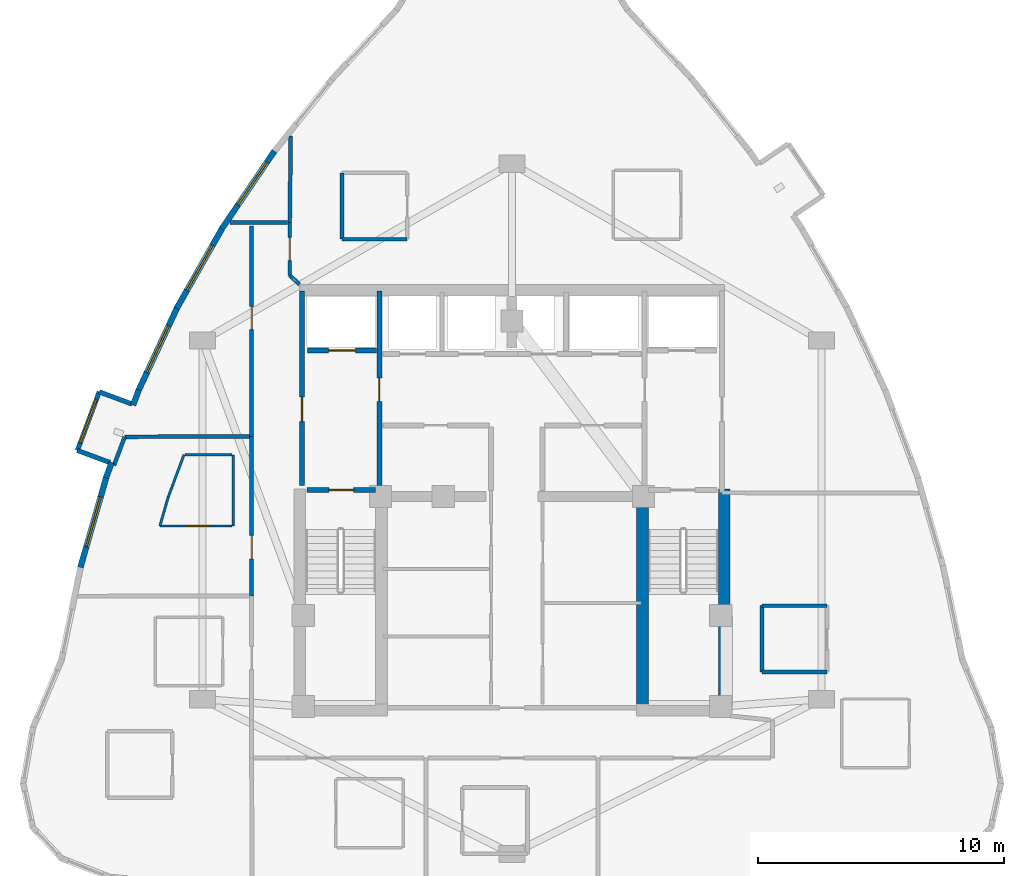
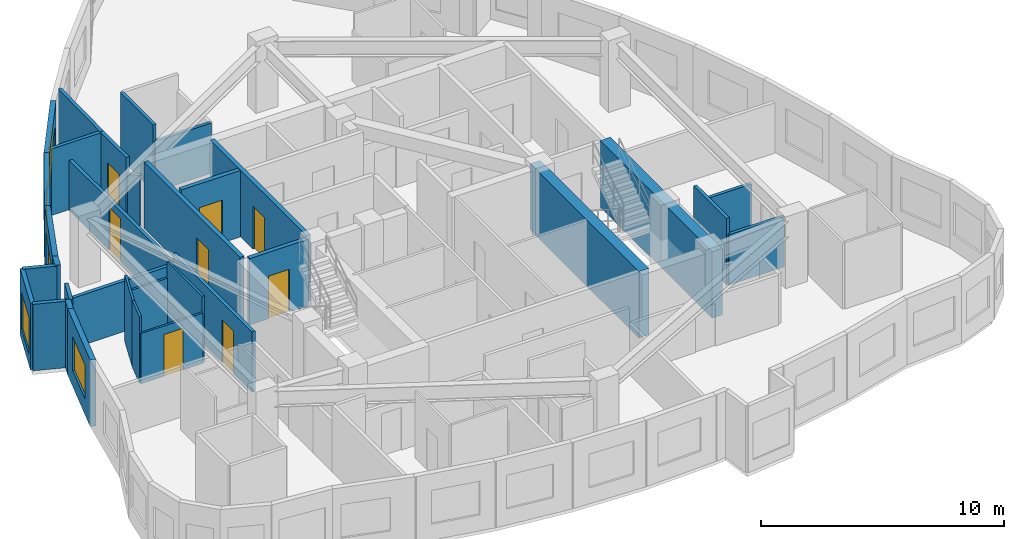
# One storey, part 5 of 9: 33 walls, 8 doors, 5 windows, 13 openings.
"""IFC4 building model written with IfcOpenShell, lengths in metres."""

from ifc_helpers import new_model, si_unit, direction, frame, frame_2d, origin, place, context, subcontext, project, spatial, rectangle, extrude, material, layer, layer_set, type_object, element, fill, save


model = new_model("IFC4")

# Units and contexts
model_context = context("Model", 3, precision=1e-05, world=origin(), true_north=direction((0.0, 1.0)))
body_context = subcontext(model_context, "Body", "Model", "MODEL_VIEW")
ifc_project = project(units=[si_unit("LENGTHUNIT", "METRE"), si_unit("AREAUNIT", "SQUARE_METRE"), si_unit("VOLUMEUNIT", "CUBIC_METRE"), si_unit("PLANEANGLEUNIT", "RADIAN"), si_unit("MASSUNIT", "GRAM", prefix="KILO")], contexts=[model_context])

# Site, building, storey
site_placement = place(None, origin())
site = spatial("IfcSite", under=ifc_project, at=site_placement, CompositionType="ELEMENT")
building_placement = place(site_placement, origin())
building = spatial("IfcBuilding", under=site, at=building_placement, Name="Miruveldt Soraemaru", CompositionType="ELEMENT")
storey_placement = place(building_placement, frame((0.0, 0.0, 241.199951171875)))
storey = spatial("IfcBuildingStorey", under=building, at=storey_placement, Name="L66", CompositionType="ELEMENT", Elevation=241.199951171875)

# Walls
ifc_material_1 = material(Name="White powder-coated aluminium EN AW-6060 T6", Category="aluminium")
ifc_layer_1 = layer(ifc_material_1, 0.18994140625, Name="White powder-coated aluminium EN AW-6060 T6", Category="aluminium")
ifc_layer_set_1 = layer_set([ifc_layer_1], Name="White powder-coated aluminium EN AW-6060 T6")
wall_type_1 = type_object("IfcWallType", Name="WALL-BAY-ALU190", PredefinedType="SOLIDWALL", material=ifc_layer_set_1)
wall_1_placement = place(storey_placement, frame((28.5283203125, 47.818603515625, 0.0), z_axis=(0.0, 0.0, 1.0), x_axis=(-0.937108491365, 0.349038214831, 0.0)))
element("IfcWall", 1, at=wall_1_placement, inside=storey, type_object=wall_type_1, Name="L66 Bay Window Side Cheek 1L", PredefinedType="SOLIDWALL", context=body_context, shape_type="SweptSolid", body=[
    extrude(rectangle(XDim=1.4248046875, YDim=0.18994140625, at=frame_2d((0.71240234375, 0.0))), origin(), (0.0, 0.0, 1.0), 3.344970703125),
])
wall_2_placement = place(storey_placement, frame((26.302490234375, 45.92529296875, 0.0), z_axis=(0.0, 0.0, 1.0), x_axis=(0.937129361406, -0.348982177182, 0.0)))
element("IfcWall", 2, at=wall_2_placement, inside=storey, type_object=wall_type_1, Name="L66 Bay Window Side Cheek 1R", PredefinedType="SOLIDWALL", context=body_context, shape_type="SweptSolid", body=[
    extrude(rectangle(XDim=1.425048828125, YDim=0.18994140625, at=frame_2d((0.71240234375, 0.0))), origin(), (0.0, 0.0, 1.0), 3.344970703125),
])

# Wall, opening, window
wall_3_placement = place(storey_placement, frame((27.193115234375, 48.31591796875, 0.0), z_axis=(0.0, 0.0, 1.0), x_axis=(-0.349109023173, -0.937082114833, 0.0)))
wall_3 = element("IfcWall", 3, at=wall_3_placement, inside=storey, type_object=wall_type_1, Name="L66 Bay Window Front Frame 1", PredefinedType="SOLIDWALL", context=body_context, shape_type="SweptSolid", body=[
    extrude(rectangle(XDim=2.551025390625, YDim=0.18994140625, at=frame_2d((1.275390625, 0.0))), origin(), (0.0, 0.0, 1.0), 3.344970703125),
])
opening_1_placement = place(wall_3_placement, frame((0.325927734375, 0.0, 0.550048828125)))
opening_1 = element("IfcOpeningElement", 4, at=opening_1_placement, cuts=wall_3, Name="Opening WN-6", PredefinedType="OPENING", context=body_context, shape_type="SweptSolid", body=[
    extrude(rectangle(XDim=1.89990234375, YDim=1.85009765625, at=frame_2d((0.949951171875, 0.925048828125))), frame((0.0, 0.10498046875, 0.0), z_axis=(0.0, -1.0, 0.0), x_axis=(1.0, 0.0, 0.0)), (0.0, 0.0, 1.0), 0.2099609375),
])
ifc_material_2 = material(Name="Triple low-e insulated glazing", Category="glass")
window_type_1 = type_object("IfcWindowType", Name="WIN-BAYW-1900x1850", PartitioningType="SINGLE_PANEL", PredefinedType="WINDOW", material=ifc_material_2)
window_1_placement = place(opening_1_placement, origin())
window_1 = element("IfcWindow", 5, at=window_1_placement, inside=storey, type_object=window_type_1, Name="L66 Projecting Bay Window 1", OverallHeight=1.85009765625, OverallWidth=1.89990234375, PartitioningType="SINGLE_PANEL", PredefinedType="WINDOW", context=body_context, shape_type="SweptSolid", body=[
    extrude(rectangle(XDim=1.89990234375, YDim=1.85009765625, at=frame_2d((0.949951171875, 0.925048828125))), frame((0.0, 0.030029296875, 0.0), z_axis=(0.0, -1.0, 0.0), x_axis=(1.0, 0.0, 0.0)), (0.0, 0.0, 1.0), 0.06005859375),
])
fill(opening_1, window_1)

# Walls
ifc_material_3 = material(Name="Concrete C60/75 (60 MPa)", Category="concrete")
ifc_layer_2 = layer(ifc_material_3, 0.47998046875, Name="Concrete C60/75 (60 MPa)", Category="concrete")
ifc_layer_set_2 = layer_set([ifc_layer_2], Name="Concrete C60/75 (60 MPa)")
wall_type_2 = type_object("IfcWallType", Name="WALL-CW-480", PredefinedType="SHEAR", material=ifc_layer_set_2)
wall_4_placement = place(storey_placement, frame((52.639892578125, 35.1201171875, 0.0), z_axis=(0.0, 0.0, 1.0), x_axis=(0.0, 1.0, 0.0)))
element("IfcWall", 6, at=wall_4_placement, inside=storey, type_object=wall_type_2, Name="L66 Central Core Shear Wall E1", PredefinedType="SHEAR", context=body_context, shape_type="SweptSolid", body=[
    extrude(rectangle(XDim=9.22998046875, YDim=0.47998046875, at=frame_2d((4.614990234375, 0.0))), origin(), (0.0, 0.0, 1.0), 3.344970703125),
])
wall_5_placement = place(storey_placement, frame((49.31005859375, 35.39990234375, 0.0), z_axis=(0.0, 0.0, 1.0), x_axis=(0.0, 1.0, 0.0)))
element("IfcWall", 7, at=wall_5_placement, inside=storey, type_object=wall_type_2, Name="L66 Central Core Shear Wall SE-INT", PredefinedType="SHEAR", context=body_context, shape_type="SweptSolid", body=[
    extrude(rectangle(XDim=8.9501953125, YDim=0.47998046875, at=frame_2d((4.47509765625, 0.0))), origin(), (0.0, 0.0, 1.0), 3.344970703125),
])

# Wall, opening, window
ifc_material_4 = material(Name="Precast concrete C45/55 (45 MPa)", Category="concrete")
ifc_layer_3 = layer(ifc_material_4, 0.239990234375, Name="Precast concrete C45/55 (45 MPa)", Category="concrete")
ifc_layer_set_3 = layer_set([ifc_layer_3], Name="Precast concrete C45/55 (45 MPa)")
wall_type_3 = type_object("IfcWallType", Name="WALL-EXT-PC240", PredefinedType="SOLIDWALL", material=ifc_layer_set_3)
wall_6_placement = place(storey_placement, frame((34.325439453125, 58.11669921875, 0.0), z_axis=(0.0, 0.0, 1.0), x_axis=(-0.560804347759, -0.827948358012, 0.0)))
wall_6 = element("IfcWall", 8, at=wall_6_placement, inside=storey, type_object=wall_type_3, Name="L66 Precast Concrete Facade Wall 9", PredefinedType="SOLIDWALL", context=body_context, shape_type="SweptSolid", body=[
    extrude(rectangle(XDim=3.821044921875, YDim=0.239990234375, at=frame_2d((1.91064453125, 0.0))), origin(), (0.0, 0.0, 1.0), 3.344970703125),
])
opening_2_placement = place(wall_6_placement, frame((0.5458984375, 0.0, 0.800048828125)))
opening_2 = element("IfcOpeningElement", 9, at=opening_2_placement, cuts=wall_6, Name="Opening WN-1", PredefinedType="OPENING", context=body_context, shape_type="SweptSolid", body=[
    extrude(rectangle(XDim=2.10009765625, YDim=1.699951171875, at=frame_2d((1.050048828125, 0.85009765625))), frame((0.0, 0.1298828125, 0.0), z_axis=(0.0, -1.0, 0.0), x_axis=(1.0, 0.0, 0.0)), (0.0, 0.0, 1.0), 0.260009765625),
])
window_type_2 = type_object("IfcWindowType", Name="WIN-PUNCH-2100x1700", PartitioningType="SINGLE_PANEL", PredefinedType="WINDOW", material=ifc_material_2)
window_2_placement = place(opening_2_placement, origin())
window_2 = element("IfcWindow", 10, at=window_2_placement, inside=storey, type_object=window_type_2, Name="L66 Punched Triple-Glazed Window 09.1", OverallHeight=1.699951171875, OverallWidth=2.10009765625, PartitioningType="SINGLE_PANEL", PredefinedType="WINDOW", context=body_context, shape_type="SweptSolid", body=[
    extrude(rectangle(XDim=2.10009765625, YDim=1.699951171875, at=frame_2d((1.050048828125, 0.85009765625))), frame((0.0, 0.030029296875, 0.0), z_axis=(0.0, -1.0, 0.0), x_axis=(1.0, 0.0, 0.0)), (0.0, 0.0, 1.0), 0.06005859375),
])
fill(opening_2, window_2)

wall_7_placement = place(storey_placement, frame((32.219482421875, 55.012451171875, 0.0), z_axis=(0.0, 0.0, 1.0), x_axis=(-0.493408355717, -0.869797789437, 0.0)))
wall_7 = element("IfcWall", 11, at=wall_7_placement, inside=storey, type_object=wall_type_3, Name="L66 Precast Concrete Facade Wall 10", PredefinedType="SOLIDWALL", context=body_context, shape_type="SweptSolid", body=[
    extrude(rectangle(XDim=3.797119140625, YDim=0.239990234375, at=frame_2d((1.8984375, 0.0))), origin(), (0.0, 0.0, 1.0), 3.344970703125),
])
opening_3_placement = place(wall_7_placement, frame((0.84912109375, 0.0, 0.800048828125)))
opening_3 = element("IfcOpeningElement", 12, at=opening_3_placement, cuts=wall_7, Name="Opening WN-1", PredefinedType="OPENING", context=body_context, shape_type="SweptSolid", body=[
    extrude(rectangle(XDim=2.10009765625, YDim=1.699951171875, at=frame_2d((1.050048828125, 0.85009765625))), frame((0.0, 0.1298828125, 0.0), z_axis=(0.0, -1.0, 0.0), x_axis=(1.0, 0.0, 0.0)), (0.0, 0.0, 1.0), 0.260009765625),
])
window_3_placement = place(opening_3_placement, origin())
window_3 = element("IfcWindow", 13, at=window_3_placement, inside=storey, type_object=window_type_2, Name="L66 Punched Triple-Glazed Window 10.1", OverallHeight=1.699951171875, OverallWidth=2.10009765625, PartitioningType="SINGLE_PANEL", PredefinedType="WINDOW", context=body_context, shape_type="SweptSolid", body=[
    extrude(rectangle(XDim=2.10009765625, YDim=1.699951171875, at=frame_2d((1.050048828125, 0.85009765625))), frame((0.0, 0.030029296875, 0.0), z_axis=(0.0, -1.0, 0.0), x_axis=(1.0, 0.0, 0.0)), (0.0, 0.0, 1.0), 0.06005859375),
])
fill(opening_3, window_3)

wall_8_placement = place(storey_placement, frame((30.378173828125, 51.771728515625, 0.0), z_axis=(0.0, 0.0, 1.0), x_axis=(-0.422353902845, -0.906431012682, 0.0)))
wall_8 = element("IfcWall", 14, at=wall_8_placement, inside=storey, type_object=wall_type_3, Name="L66 Precast Concrete Facade Wall 11", PredefinedType="SOLIDWALL", context=body_context, shape_type="SweptSolid", body=[
    extrude(rectangle(XDim=3.797119140625, YDim=0.239990234375, at=frame_2d((1.8984375, 0.0))), origin(), (0.0, 0.0, 1.0), 3.344970703125),
])
opening_4_placement = place(wall_8_placement, frame((0.84912109375, 0.0, 0.800048828125)))
opening_4 = element("IfcOpeningElement", 15, at=opening_4_placement, cuts=wall_8, Name="Opening WN-1", PredefinedType="OPENING", context=body_context, shape_type="SweptSolid", body=[
    extrude(rectangle(XDim=2.10009765625, YDim=1.699951171875, at=frame_2d((1.050048828125, 0.85009765625))), frame((0.0, 0.1298828125, 0.0), z_axis=(0.0, -1.0, 0.0), x_axis=(1.0, 0.0, 0.0)), (0.0, 0.0, 1.0), 0.260009765625),
])
window_4_placement = place(opening_4_placement, origin())
window_4 = element("IfcWindow", 16, at=window_4_placement, inside=storey, type_object=window_type_2, Name="L66 Punched Triple-Glazed Window 11.1", OverallHeight=1.699951171875, OverallWidth=2.10009765625, PartitioningType="SINGLE_PANEL", PredefinedType="WINDOW", context=body_context, shape_type="SweptSolid", body=[
    extrude(rectangle(XDim=2.10009765625, YDim=1.699951171875, at=frame_2d((1.050048828125, 0.85009765625))), frame((0.0, 0.030029296875, 0.0), z_axis=(0.0, -1.0, 0.0), x_axis=(1.0, 0.0, 0.0)), (0.0, 0.0, 1.0), 0.06005859375),
])
fill(opening_4, window_4)

# Walls
wall_9_placement = place(storey_placement, frame((28.801513671875, 48.394287109375, 0.0), z_axis=(0.0, 0.0, 1.0), x_axis=(-0.349191210369, -0.937051491969, 0.0)))
element("IfcWall", 17, at=wall_9_placement, inside=storey, type_object=wall_type_3, Name="L66 Precast Pier Wall 12A", PredefinedType="SOLIDWALL", context=body_context, shape_type="SweptSolid", body=[
    extrude(rectangle(XDim=0.664794921875, YDim=0.239990234375, at=frame_2d((0.33251953125, 0.0))), origin(), (0.0, 0.0, 1.0), 3.344970703125),
])
wall_10_placement = place(storey_placement, frame((27.699951171875, 45.43701171875, 0.0), z_axis=(0.0, 0.0, 1.0), x_axis=(-0.348748710046, -0.937216270261, 0.0)))
element("IfcWall", 18, at=wall_10_placement, inside=storey, type_object=wall_type_3, Name="L66 Precast Pier Wall 12B", PredefinedType="SOLIDWALL", context=body_context, shape_type="SweptSolid", body=[
    extrude(rectangle(XDim=0.6650390625, YDim=0.239990234375, at=frame_2d((0.33251953125, 0.0))), origin(), (0.0, 0.0, 1.0), 3.344970703125),
])

# Wall, opening, window
wall_11_placement = place(storey_placement, frame((27.48974609375, 44.88037109375, 0.0), z_axis=(0.0, 0.0, 1.0), x_axis=(-0.27493786248, -0.961461997052, 0.0)))
wall_11 = element("IfcWall", 19, at=wall_11_placement, inside=storey, type_object=wall_type_3, Name="L66 Precast Concrete Facade Wall 13", PredefinedType="SOLIDWALL", context=body_context, shape_type="SweptSolid", body=[
    extrude(rectangle(XDim=3.8681640625, YDim=0.239990234375, at=frame_2d((1.93408203125, 0.0))), origin(), (0.0, 0.0, 1.0), 3.344970703125),
])
opening_5_placement = place(wall_11_placement, frame((0.884033203125, 0.0, 0.800048828125)))
opening_5 = element("IfcOpeningElement", 20, at=opening_5_placement, cuts=wall_11, Name="Opening WN-1", PredefinedType="OPENING", context=body_context, shape_type="SweptSolid", body=[
    extrude(rectangle(XDim=2.10009765625, YDim=1.699951171875, at=frame_2d((1.050048828125, 0.85009765625))), frame((0.0, 0.1298828125, 0.0), z_axis=(0.0, -1.0, 0.0), x_axis=(1.0, 0.0, 0.0)), (0.0, 0.0, 1.0), 0.260009765625),
])
window_5_placement = place(opening_5_placement, origin())
window_5 = element("IfcWindow", 21, at=window_5_placement, inside=storey, type_object=window_type_2, Name="L66 Punched Triple-Glazed Window 13.1", OverallHeight=1.699951171875, OverallWidth=2.10009765625, PartitioningType="SINGLE_PANEL", PredefinedType="WINDOW", context=body_context, shape_type="SweptSolid", body=[
    extrude(rectangle(XDim=2.10009765625, YDim=1.699951171875, at=frame_2d((1.050048828125, 0.85009765625))), frame((0.0, 0.030029296875, 0.0), z_axis=(0.0, -1.0, 0.0), x_axis=(1.0, 0.0, 0.0)), (0.0, 0.0, 1.0), 0.06005859375),
])
fill(opening_5, window_5)

# Wall, opening, door
ifc_material_5 = material(Name="Gypsum plasterboard lining", Category="gypsum")
ifc_layer_4 = layer(ifc_material_5, 0.10009765625, Name="Gypsum plasterboard lining", Category="gypsum")
ifc_layer_set_4 = layer_set([ifc_layer_4], Name="Gypsum plasterboard lining")
wall_type_4 = type_object("IfcWallType", Name="WALL-INT-P100", PredefinedType="PARTITIONING", material=ifc_layer_set_4)
wall_12_placement = place(storey_placement, frame((32.60009765625, 42.85009765625, 0.0), z_axis=(0.0, 0.0, 1.0), x_axis=(-1.0, 0.0, 0.0)))
wall_12 = element("IfcWall", 22, at=wall_12_placement, inside=storey, type_object=wall_type_4, Name="L66 Partition Wall 24", PredefinedType="PARTITIONING", context=body_context, shape_type="SweptSolid", body=[
    extrude(rectangle(XDim=2.934814453125, YDim=0.10009765625, at=frame_2d((1.46728515625, 0.0))), origin(), (0.0, 0.0, 1.0), 2.532958984375),
])
opening_6_placement = place(wall_12_placement, frame((0.93994140625, 0.0, 0.0)))
opening_6 = element("IfcOpeningElement", 23, at=opening_6_placement, cuts=wall_12, Name="Opening D3A", PredefinedType="OPENING", context=body_context, shape_type="SweptSolid", body=[
    extrude(rectangle(XDim=0.919921875, YDim=2.10009765625, at=frame_2d((0.4599609375, 1.050048828125))), frame((0.0, 0.06005859375, 0.0), z_axis=(0.0, -1.0, 0.0), x_axis=(1.0, 0.0, 0.0)), (0.0, 0.0, 1.0), 0.1201171875),
])
ifc_material_6 = material(Name="Anodised aluminium EN AW-6063 T6", Category="aluminium")
door_type_1 = type_object("IfcDoorType", Name="DOOR-INT-920", OperationType="NOTDEFINED", PredefinedType="DOOR", material=ifc_material_6)
door_1_placement = place(opening_6_placement, origin())
door_1 = element("IfcDoor", 24, at=door_1_placement, inside=storey, type_object=door_type_1, Name="L66 Unit CL03 KIT Door", OperationType="SINGLE_SWING_LEFT", OverallHeight=2.10009765625, OverallWidth=0.919921875, PredefinedType="DOOR", context=body_context, shape_type="SweptSolid", body=[
    extrude(rectangle(XDim=0.919921875, YDim=2.10009765625, at=frame_2d((0.4599609375, 1.050048828125))), frame((0.0, 0.02490234375, 0.0), z_axis=(0.0, -1.0, 0.0), x_axis=(1.0, 0.0, 0.0)), (0.0, 0.0, 1.0), 0.050048828125),
])
fill(opening_6, door_1)

# Walls
wall_13_placement = place(storey_placement, frame((32.64990234375, 45.75, 0.0), z_axis=(0.0, 0.0, 1.0), x_axis=(0.0, -1.0, 0.0)))
element("IfcWall", 25, at=wall_13_placement, inside=storey, type_object=wall_type_4, Name="L66 Partition Wall 28", PredefinedType="PARTITIONING", context=body_context, shape_type="SweptSolid", body=[
    extrude(rectangle(XDim=2.89990234375, YDim=0.10009765625, at=frame_2d((1.449951171875, 0.0))), origin(), (0.0, 0.0, 1.0), 3.344970703125),
])
wall_14_placement = place(storey_placement, frame((30.694091796875, 45.75, 0.0), z_axis=(0.0, 0.0, 1.0), x_axis=(1.0, 0.0, 0.0)))
element("IfcWall", 26, at=wall_14_placement, inside=storey, type_object=wall_type_4, Name="L66 Partition Wall 27", PredefinedType="PARTITIONING", context=body_context, shape_type="SweptSolid", body=[
    extrude(rectangle(XDim=1.906005859375, YDim=0.10009765625, at=frame_2d((0.953125, 0.0))), origin(), (0.0, 0.0, 1.0), 2.532958984375),
])
wall_15_placement = place(storey_placement, frame((30.0, 44.01904296875, 0.0), z_axis=(0.0, 0.0, 1.0), x_axis=(0.348717510046, 0.93722787954, 0.0)))
element("IfcWall", 27, at=wall_15_placement, inside=storey, type_object=wall_type_4, Name="L66 Partition Wall 26", PredefinedType="PARTITIONING", context=body_context, shape_type="SweptSolid", body=[
    extrude(rectangle(XDim=1.846923828125, YDim=0.10009765625, at=frame_2d((0.92333984375, 0.0))), origin(), (0.0, 0.0, 1.0), 3.344970703125),
])
wall_16_placement = place(storey_placement, frame((29.665283203125, 42.85009765625, 0.0), z_axis=(0.0, 0.0, 1.0), x_axis=(0.275277979594, 0.961364672718, 0.0)))
element("IfcWall", 28, at=wall_16_placement, inside=storey, type_object=wall_type_4, Name="L66 Partition Wall 25", PredefinedType="PARTITIONING", context=body_context, shape_type="SweptSolid", body=[
    extrude(rectangle(XDim=1.2158203125, YDim=0.10009765625, at=frame_2d((0.60791015625, 0.0))), origin(), (0.0, 0.0, 1.0), 3.344970703125),
])
ifc_layer_5 = layer(ifc_material_5, 0.14990234375, Name="Gypsum plasterboard lining", Category="gypsum")
ifc_layer_set_5 = layer_set([ifc_layer_5], Name="Gypsum plasterboard lining")
wall_type_5 = type_object("IfcWallType", Name="WALL-INT-PLUMB", PredefinedType="PLUMBINGWALL", material=ifc_layer_set_5)
for number, where, z_axis, x_axis, name in (
    (29, (54.179931640625, 39.60595703125, 0.0), (0.0, 0.0, 1.0), (0.0, -1.0, 0.0), "L66 Partition Wall 51"),
    (30, (37.080078125, 57.22998046875, 0.0), (0.0, 0.0, 1.0), (0.0, -1.0, 0.0), "L66 Partition Wall 15"),
):
    element("IfcWall", number, at=place(storey_placement, frame(where, z_axis=z_axis, x_axis=x_axis)), inside=storey, type_object=wall_type_5, Name=name, PredefinedType="PLUMBINGWALL", context=body_context, shape_type="SweptSolid", body=[
        extrude(rectangle(XDim=2.699951171875, YDim=0.14990234375, at=frame_2d((1.35009765625, 0.0))), origin(), (0.0, 0.0, 1.0), 3.344970703125),
    ])
wall_17_placement = place(storey_placement, frame((37.080078125, 54.530029296875, 0.0), z_axis=(0.0, 0.0, 1.0), x_axis=(1.0, 0.0, 0.0)))
element("IfcWall", 31, at=wall_17_placement, inside=storey, type_object=wall_type_5, Name="L66 Partition Wall 16", PredefinedType="PLUMBINGWALL", context=body_context, shape_type="SweptSolid", body=[
    extrude(rectangle(XDim=2.64990234375, YDim=0.14990234375, at=frame_2d((1.324951171875, 0.0))), origin(), (0.0, 0.0, 1.0), 2.532958984375),
])
for number, where, z_axis, x_axis, name in (
    (32, (56.830078125, 39.60595703125, 0.0), (0.0, 0.0, 1.0), (-1.0, 0.0, 0.0), "L66 Partition Wall 50"),
    (33, (54.179931640625, 36.906005859375, 0.0), (0.0, 0.0, 1.0), (1.0, 0.0, 0.0), "L66 Partition Wall 52"),
):
    element("IfcWall", number, at=place(storey_placement, frame(where, z_axis=z_axis, x_axis=x_axis)), inside=storey, type_object=wall_type_5, Name=name, PredefinedType="PLUMBINGWALL", context=body_context, shape_type="SweptSolid", body=[
        extrude(rectangle(XDim=2.650146484375, YDim=0.14990234375, at=frame_2d((1.3251953125, 0.0))), origin(), (0.0, 0.0, 1.0), 2.532958984375),
    ])

# Wall, opening, door
ifc_material_7 = material(Name="Concrete C40/50 (40 MPa)", Category="concrete")
ifc_layer_6 = layer(ifc_material_7, 0.159912109375, Name="Concrete C40/50 (40 MPa)", Category="concrete")
ifc_layer_set_6 = layer_set([ifc_layer_6], Name="Concrete C40/50 (40 MPa)")
wall_type_6 = type_object("IfcWallType", Name="WALL-INT-RC160", PredefinedType="SOLIDWALL", material=ifc_layer_set_6)
wall_18_placement = place(storey_placement, frame((33.39990234375, 55.06005859375, 0.0), z_axis=(0.0, 0.0, 1.0), x_axis=(0.0, -1.0, 0.0)))
wall_18 = element("IfcWall", 34, at=wall_18_placement, inside=storey, type_object=wall_type_6, Name="L66 Partition Wall 3", PredefinedType="SOLIDWALL", context=body_context, shape_type="SweptSolid", body=[
    extrude(rectangle(XDim=8.55712890625, YDim=0.159912109375, at=frame_2d((4.278564453125, 0.0))), origin(), (0.0, 0.0, 1.0), 2.532958984375),
])
opening_7_placement = place(wall_18_placement, frame((3.263916015625, 0.0, 0.0)))
opening_7 = element("IfcOpeningElement", 35, at=opening_7_placement, cuts=wall_18, Name="Opening FD2", PredefinedType="OPENING", context=body_context, shape_type="SweptSolid", body=[
    extrude(rectangle(XDim=0.949951171875, YDim=2.14990234375, at=frame_2d((0.47509765625, 1.074951171875))), frame((0.0, 0.08984375, 0.0), z_axis=(0.0, -1.0, 0.0), x_axis=(1.0, 0.0, 0.0)), (0.0, 0.0, 1.0), 0.179931640625),
])
door_type_2 = type_object("IfcDoorType", Name="DOOR-FD2-950", OperationType="NOTDEFINED", PredefinedType="DOOR", material=ifc_material_6)
door_2_placement = place(opening_7_placement, origin())
door_2 = element("IfcDoor", 36, at=door_2_placement, inside=storey, type_object=door_type_2, Name="L66 Unit CL02 Entrance Fire Door", OperationType="SINGLE_SWING_LEFT", OverallHeight=2.14990234375, OverallWidth=0.949951171875, PredefinedType="DOOR", context=body_context, shape_type="SweptSolid", body=[
    extrude(rectangle(XDim=0.949951171875, YDim=2.14990234375, at=frame_2d((0.47509765625, 1.074951171875))), frame((0.0, 0.02490234375, 0.0), z_axis=(0.0, -1.0, 0.0), x_axis=(1.0, 0.0, 0.0)), (0.0, 0.0, 1.0), 0.050048828125),
])
fill(opening_7, door_2)

wall_19_placement = place(storey_placement, frame((33.39990234375, 46.5, 0.0), z_axis=(0.0, 0.0, 1.0), x_axis=(0.0, -1.0, 0.0)))
wall_19 = element("IfcWall", 37, at=wall_19_placement, inside=storey, type_object=wall_type_6, Name="L66 Partition Wall 4", PredefinedType="SOLIDWALL", context=body_context, shape_type="SweptSolid", body=[
    extrude(rectangle(XDim=6.5, YDim=0.159912109375, at=frame_2d((3.25, 0.0))), origin(), (0.0, 0.0, 1.0), 3.032958984375),
])
opening_8_placement = place(wall_19_placement, frame((4.034912109375, 0.0, 0.0)))
opening_8 = element("IfcOpeningElement", 38, at=opening_8_placement, cuts=wall_19, Name="Opening FD2", PredefinedType="OPENING", context=body_context, shape_type="SweptSolid", body=[
    extrude(rectangle(XDim=0.949951171875, YDim=2.14990234375, at=frame_2d((0.47509765625, 1.074951171875))), frame((0.0, 0.08984375, 0.0), z_axis=(0.0, -1.0, 0.0), x_axis=(1.0, 0.0, 0.0)), (0.0, 0.0, 1.0), 0.179931640625),
])
door_3_placement = place(opening_8_placement, origin())
door_3 = element("IfcDoor", 39, at=door_3_placement, inside=storey, type_object=door_type_2, Name="L66 Unit CL03 Entrance Fire Door", OperationType="SINGLE_SWING_RIGHT", OverallHeight=2.14990234375, OverallWidth=0.949951171875, PredefinedType="DOOR", context=body_context, shape_type="SweptSolid", body=[
    extrude(rectangle(XDim=0.949951171875, YDim=2.14990234375, at=frame_2d((0.47509765625, 1.074951171875))), frame((0.0, 0.02490234375, 0.0), z_axis=(0.0, -1.0, 0.0), x_axis=(1.0, 0.0, 0.0)), (0.0, 0.0, 1.0), 0.050048828125),
])
fill(opening_8, door_3)

wall_20_placement = place(storey_placement, frame((34.949951171875, 53.052978515625, 0.0), z_axis=(0.0, 0.0, 1.0), x_axis=(0.0, 1.0, 0.0)))
wall_20 = element("IfcWall", 40, at=wall_20_placement, inside=storey, type_object=wall_type_6, Name="L66 Partition Wall 1", PredefinedType="SOLIDWALL", context=body_context, shape_type="SweptSolid", body=[
    extrude(rectangle(XDim=2.14697265625, YDim=0.159912109375, at=frame_2d((1.073486328125, 0.0))), origin(), (0.0, 0.0, 1.0), 3.344970703125),
])
opening_9_placement = place(wall_20_placement, frame((0.59912109375, 0.0, 0.0)))
opening_9 = element("IfcOpeningElement", 41, at=opening_9_placement, cuts=wall_20, Name="Opening FD2", PredefinedType="OPENING", context=body_context, shape_type="SweptSolid", body=[
    extrude(rectangle(XDim=0.949951171875, YDim=2.14990234375, at=frame_2d((0.47509765625, 1.074951171875))), frame((0.0, 0.08984375, 0.0), z_axis=(0.0, -1.0, 0.0), x_axis=(1.0, 0.0, 0.0)), (0.0, 0.0, 1.0), 0.179931640625),
])
door_4_placement = place(opening_9_placement, origin())
door_4 = element("IfcDoor", 42, at=door_4_placement, inside=storey, type_object=door_type_2, Name="L66 Unit CL01 Entrance Fire Door", OperationType="SINGLE_SWING_RIGHT", OverallHeight=2.14990234375, OverallWidth=0.949951171875, PredefinedType="DOOR", context=body_context, shape_type="SweptSolid", body=[
    extrude(rectangle(XDim=0.949951171875, YDim=2.14990234375, at=frame_2d((0.47509765625, 1.074951171875))), frame((0.0, 0.02490234375, 0.0), z_axis=(0.0, -1.0, 0.0), x_axis=(1.0, 0.0, 0.0)), (0.0, 0.0, 1.0), 0.050048828125),
])
fill(opening_9, door_4)

# Walls
wall_21_placement = place(storey_placement, frame((28.23291015625, 46.48095703125, 0.0), z_axis=(0.0, 0.0, 1.0), x_axis=(0.999992993772, 0.003743314945, 0.0)))
element("IfcWall", 43, at=wall_21_placement, inside=storey, type_object=wall_type_6, Name="L66 Partition Wall 23", PredefinedType="SOLIDWALL", context=body_context, shape_type="SweptSolid", body=[
    extrude(rectangle(XDim=5.087158203125, YDim=0.159912109375, at=frame_2d((2.54345703125, 0.0))), origin(), (0.0, 0.0, 1.0), 2.532958984375),
])
wall_22_placement = place(storey_placement, frame((34.990966796875, 58.72998046875, 0.0), z_axis=(0.0, 0.0, 1.0), x_axis=(-0.011627925665, -0.999932393387, 0.0)))
element("IfcWall", 44, at=wall_22_placement, inside=storey, type_object=wall_type_6, Name="L66 Partition Wall 21", PredefinedType="SOLIDWALL", context=body_context, shape_type="SweptSolid", body=[
    extrude(rectangle(XDim=3.52734375, YDim=0.159912109375, at=frame_2d((1.763671875, 0.0))), origin(), (0.0, 0.0, 1.0), 3.344970703125),
])
wall_23_placement = place(storey_placement, frame((34.866943359375, 55.199951171875, 0.0), z_axis=(0.0, 0.0, 1.0), x_axis=(-1.0, 0.0, 0.0)))
element("IfcWall", 45, at=wall_23_placement, inside=storey, type_object=wall_type_6, Name="L66 Partition Wall 2", PredefinedType="SOLIDWALL", context=body_context, shape_type="SweptSolid", body=[
    extrude(rectangle(XDim=2.35400390625, YDim=0.159912109375, at=frame_2d((1.177001953125, 0.0))), origin(), (0.0, 0.0, 1.0), 3.344970703125),
])
wall_24_placement = place(storey_placement, frame((28.23291015625, 46.48095703125, 0.0), z_axis=(0.0, 0.0, 1.0), x_axis=(-0.354346649973, -0.935114138302, 0.0)))
element("IfcWall", 46, at=wall_24_placement, inside=storey, type_object=wall_type_6, Name="L66 Partition Closure Return 2", PredefinedType="SOLIDWALL", context=body_context, shape_type="SweptSolid", body=[
    extrude(rectangle(XDim=1.244384765625, YDim=0.159912109375, at=frame_2d((0.6220703125, 0.0))), origin(), (0.0, 0.0, 1.0), 3.344970703125),
])
wall_25_placement = place(storey_placement, frame((34.949951171875, 53.052978515625, 0.0), z_axis=(0.0, 0.0, 1.0), x_axis=(0.740614438713, -0.671930244274, 0.0)))
element("IfcWall", 47, at=wall_25_placement, inside=storey, type_object=wall_type_6, Name="L66 Partition Closure Return 1", PredefinedType="SOLIDWALL", context=body_context, shape_type="SweptSolid", body=[
    extrude(rectangle(XDim=0.540283203125, YDim=0.159912109375, at=frame_2d((0.27001953125, 0.0))), origin(), (0.0, 0.0, 1.0), 2.532958984375),
])

# Wall, opening, door
ifc_layer_7 = layer(ifc_material_7, 0.199951171875, Name="Concrete C40/50 (40 MPa)", Category="concrete")
ifc_layer_set_7 = layer_set([ifc_layer_7], Name="Concrete C40/50 (40 MPa)")
wall_type_7 = type_object("IfcWallType", Name="WALL-INT-RC200", PredefinedType="SOLIDWALL", material=ifc_layer_set_7)
wall_26_placement = place(storey_placement, frame((35.449951171875, 44.5, 0.0), z_axis=(0.0, 0.0, 1.0), x_axis=(0.0, 1.0, 0.0)))
wall_26 = element("IfcWall", 48, at=wall_26_placement, inside=storey, type_object=wall_type_7, Name="L66 Core Compartment Wall FFW-OUT", PredefinedType="SOLIDWALL", context=body_context, shape_type="SweptSolid", body=[
    extrude(rectangle(XDim=7.919921875, YDim=0.199951171875, at=frame_2d((3.9599609375, 0.0))), origin(), (0.0, 0.0, 1.0), 3.344970703125),
])
opening_10_placement = place(wall_26_placement, frame((2.60009765625, 0.0, 0.0)))
opening_10 = element("IfcOpeningElement", 49, at=opening_10_placement, cuts=wall_26, Name="Opening FD1", PredefinedType="OPENING", context=body_context, shape_type="SweptSolid", body=[
    extrude(rectangle(XDim=1.0, YDim=2.14990234375, at=frame_2d((0.5, 1.074951171875))), frame((0.0, 0.10986328125, 0.0), z_axis=(0.0, -1.0, 0.0), x_axis=(1.0, 0.0, 0.0)), (0.0, 0.0, 1.0), 0.219970703125),
])
door_type_3 = type_object("IfcDoorType", Name="DOOR-FD1-1000", OperationType="NOTDEFINED", PredefinedType="DOOR", material=ifc_material_6)
door_5_placement = place(opening_10_placement, origin())
door_5 = element("IfcDoor", 50, at=door_5_placement, inside=storey, type_object=door_type_3, Name="L66 West Firefighting Lobby Exit Door", OperationType="SINGLE_SWING_LEFT", OverallHeight=2.14990234375, OverallWidth=1.0, PredefinedType="DOOR", context=body_context, shape_type="SweptSolid", body=[
    extrude(rectangle(XDim=1.0, YDim=2.14990234375, at=frame_2d((0.5, 1.074951171875))), frame((0.0, 0.02490234375, 0.0), z_axis=(0.0, -1.0, 0.0), x_axis=(1.0, 0.0, 0.0)), (0.0, 0.0, 1.0), 0.050048828125),
])
fill(opening_10, door_5)

wall_27_placement = place(storey_placement, frame((38.60009765625, 44.5, 0.0), z_axis=(0.0, 0.0, 1.0), x_axis=(0.0, 1.0, 0.0)))
wall_27 = element("IfcWall", 51, at=wall_27_placement, inside=storey, type_object=wall_type_7, Name="L66 Core Compartment Wall FFW-IN", PredefinedType="SOLIDWALL", context=body_context, shape_type="SweptSolid", body=[
    extrude(rectangle(XDim=7.919921875, YDim=0.199951171875, at=frame_2d((3.9599609375, 0.0))), origin(), (0.0, 0.0, 1.0), 3.344970703125),
])
opening_11_placement = place(wall_27_placement, frame((3.425048828125, 0.0, 0.0)))
opening_11 = element("IfcOpeningElement", 52, at=opening_11_placement, cuts=wall_27, Name="Opening FD2", PredefinedType="OPENING", context=body_context, shape_type="SweptSolid", body=[
    extrude(rectangle(XDim=0.949951171875, YDim=2.14990234375, at=frame_2d((0.47509765625, 1.074951171875))), frame((0.0, 0.10986328125, 0.0), z_axis=(0.0, -1.0, 0.0), x_axis=(1.0, 0.0, 0.0)), (0.0, 0.0, 1.0), 0.219970703125),
])
door_6_placement = place(opening_11_placement, frame((0.949951171875, 0.0, 0.0), z_axis=(0.0, 0.0, 1.0), x_axis=(-1.0, 0.0, 0.0)))
door_6 = element("IfcDoor", 53, at=door_6_placement, inside=storey, type_object=door_type_2, Name="L66 Lift Lobby to West Fire Lobby Door", OperationType="SINGLE_SWING_RIGHT", OverallHeight=2.14990234375, OverallWidth=0.949951171875, PredefinedType="DOOR", context=body_context, shape_type="SweptSolid", body=[
    extrude(rectangle(XDim=0.949951171875, YDim=2.14990234375, at=frame_2d((0.47509765625, 1.074951171875))), frame((0.0, 0.02490234375, 0.0), z_axis=(0.0, -1.0, 0.0), x_axis=(1.0, 0.0, 0.0)), (0.0, 0.0, 1.0), 0.050048828125),
])
fill(opening_11, door_6)

wall_28_placement = place(storey_placement, frame((35.64990234375, 44.320068359375, 0.0), z_axis=(0.0, 0.0, 1.0), x_axis=(1.0, 0.0, 0.0)))
wall_28 = element("IfcWall", 54, at=wall_28_placement, inside=storey, type_object=wall_type_7, Name="L66 Core Compartment Wall ST1-N", PredefinedType="SOLIDWALL", context=body_context, shape_type="SweptSolid", body=[
    extrude(rectangle(XDim=2.800048828125, YDim=0.199951171875, at=frame_2d((1.39990234375, 0.0))), origin(), (0.0, 0.0, 1.0), 3.344970703125),
])
opening_12_placement = place(wall_28_placement, frame((0.89990234375, 0.0, 0.0)))
opening_12 = element("IfcOpeningElement", 55, at=opening_12_placement, cuts=wall_28, Name="Opening FD1", PredefinedType="OPENING", context=body_context, shape_type="SweptSolid", body=[
    extrude(rectangle(XDim=1.0, YDim=2.14990234375, at=frame_2d((0.5, 1.074951171875))), frame((0.0, 0.10986328125, 0.0), z_axis=(0.0, -1.0, 0.0), x_axis=(1.0, 0.0, 0.0)), (0.0, 0.0, 1.0), 0.219970703125),
])
door_7_placement = place(opening_12_placement, frame((1.0, 0.0, 0.0), z_axis=(0.0, 0.0, 1.0), x_axis=(-1.0, 0.0, 0.0)))
door_7 = element("IfcDoor", 56, at=door_7_placement, inside=storey, type_object=door_type_3, Name="L66 Stair ST-1 Fire Door", OperationType="SINGLE_SWING_LEFT", OverallHeight=2.14990234375, OverallWidth=1.0, PredefinedType="DOOR", context=body_context, shape_type="SweptSolid", body=[
    extrude(rectangle(XDim=1.0, YDim=2.14990234375, at=frame_2d((0.5, 1.074951171875))), frame((0.0, 0.02490234375, 0.0), z_axis=(0.0, -1.0, 0.0), x_axis=(1.0, 0.0, 0.0)), (0.0, 0.0, 1.0), 0.050048828125),
])
fill(opening_12, door_7)

wall_29_placement = place(storey_placement, frame((35.679931640625, 50.0, 0.0), z_axis=(0.0, 0.0, 1.0), x_axis=(1.0, 0.0, 0.0)))
wall_29 = element("IfcWall", 57, at=wall_29_placement, inside=storey, type_object=wall_type_7, Name="L66 Core Compartment Wall FFL1-S", PredefinedType="SOLIDWALL", context=body_context, shape_type="SweptSolid", body=[
    extrude(rectangle(XDim=2.800048828125, YDim=0.199951171875, at=frame_2d((1.39990234375, 0.0))), origin(), (0.0, 0.0, 1.0), 3.344970703125),
])
opening_13_placement = place(wall_29_placement, frame((0.85009765625, 0.0, 0.0)))
opening_13 = element("IfcOpeningElement", 58, at=opening_13_placement, cuts=wall_29, Name="Opening LD2", PredefinedType="OPENING", context=body_context, shape_type="SweptSolid", body=[
    extrude(rectangle(XDim=1.10009765625, YDim=2.14990234375, at=frame_2d((0.550048828125, 1.074951171875))), frame((0.0, 0.10986328125, 0.0), z_axis=(0.0, -1.0, 0.0), x_axis=(1.0, 0.0, 0.0)), (0.0, 0.0, 1.0), 0.219970703125),
])
door_type_4 = type_object("IfcDoorType", Name="DOOR-LD2-1100", OperationType="SLIDING_TO_LEFT", PredefinedType="DOOR", material=ifc_material_6)
door_8_placement = place(opening_13_placement, origin())
door_8 = element("IfcDoor", 59, at=door_8_placement, inside=storey, type_object=door_type_4, Name="L66 FFL-1 Landing Door", OperationType="SLIDING_TO_LEFT", OverallHeight=2.14990234375, OverallWidth=1.10009765625, PredefinedType="DOOR", context=body_context, shape_type="SweptSolid", body=[
    extrude(rectangle(XDim=1.10009765625, YDim=2.14990234375, at=frame_2d((0.550048828125, 1.074951171875))), frame((0.0, 0.02490234375, 0.0), z_axis=(0.0, -1.0, 0.0), x_axis=(1.0, 0.0, 0.0)), (0.0, 0.0, 1.0), 0.050048828125),
])
fill(opening_13, door_8)

save(model, "model.ifc")
